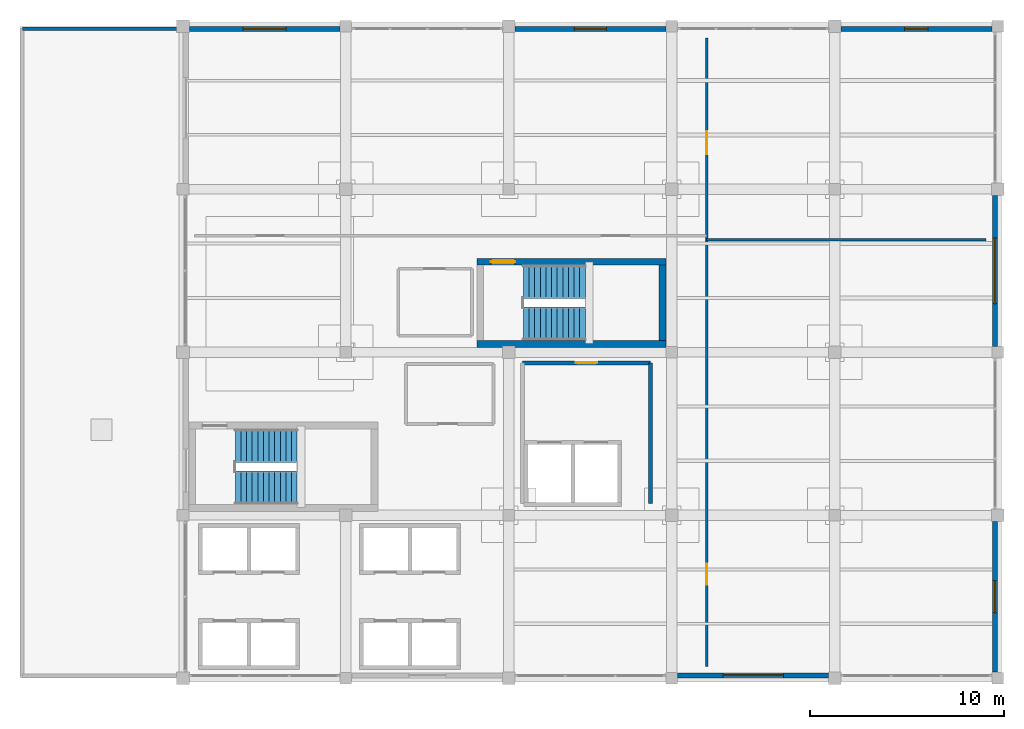
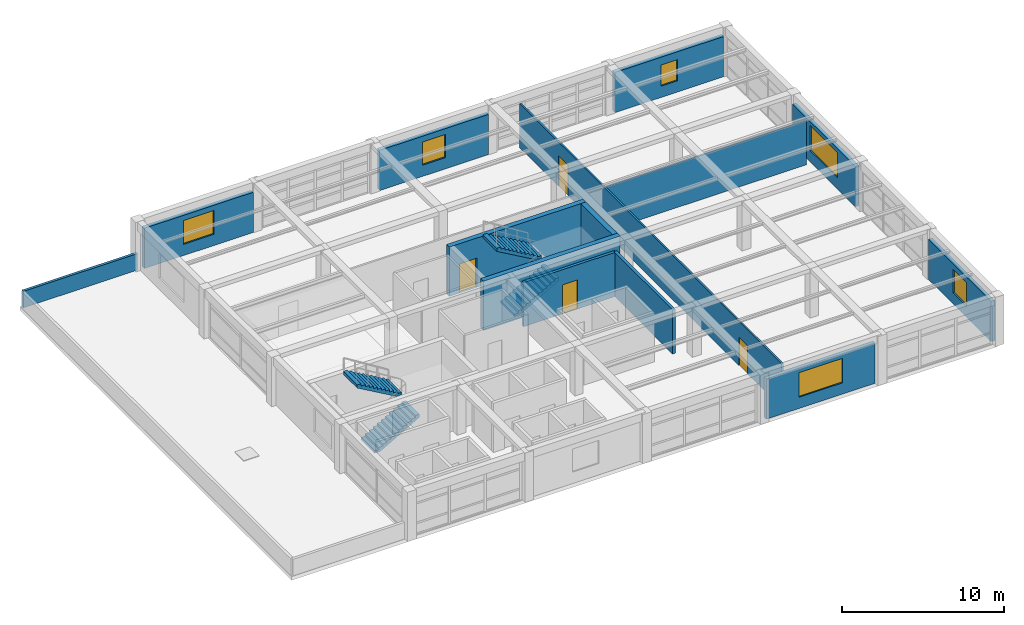
# One storey, part 25 of 26: 14 walls, 6 windows, 4 doors, 4 stair flights, 10 openings, 2 elements without a shape of their own.
"""IFC4 building model written with IfcOpenShell, lengths in metres."""

from ifc_helpers import new_model, si_unit, direction, frame, frame_2d, origin, place, context, subcontext, project, spatial, polyline, rectangle, outline, extrude, material, layer, layer_set, type_object, element, fill, aggregate, save


model = new_model("IFC4")

# Units and contexts
model_context = context("Model", 3, precision=1e-05, world=origin(), true_north=direction((0.0, 1.0)))
body_context = subcontext(model_context, "Body", "Model", "MODEL_VIEW")
ifc_project = project(units=[si_unit("LENGTHUNIT", "METRE"), si_unit("AREAUNIT", "SQUARE_METRE"), si_unit("VOLUMEUNIT", "CUBIC_METRE"), si_unit("PLANEANGLEUNIT", "RADIAN"), si_unit("MASSUNIT", "GRAM", prefix="KILO")], contexts=[model_context])

# Site, building, storey
site_placement = place(None, origin())
site = spatial("IfcSite", under=ifc_project, at=site_placement, CompositionType="ELEMENT")
building_placement = place(site_placement, origin())
building = spatial("IfcBuilding", under=site, at=building_placement, Name="Almacenes y Pasaje Nevantli", CompositionType="ELEMENT")
storey_placement = place(building_placement, frame((0.0, 0.0, 42.699951171875)))
storey = spatial("IfcBuildingStorey", under=building, at=storey_placement, Name="L10", CompositionType="ELEMENT", Elevation=42.699951171875)

# Wall, opening, door
ifc_material_1 = material(Name="Fire-Rated Concrete Blockwork", Category="masonry")
ifc_layer_1 = layer(ifc_material_1, 0.199951171875)
ifc_layer_set_1 = layer_set([ifc_layer_1], Name="Fire-Rated Concrete Blockwork")
wall_type_1 = type_object("IfcWallType", Name="WL-COMP-200", PredefinedType="PARTITIONING", material=ifc_layer_set_1)
wall_1_placement = place(storey_placement, frame((135.10009765625, 83.449951171875, 0.0), z_axis=(0.0, 0.0, 1.0), x_axis=(1.0, 0.0, 0.0)))
wall_1 = element("IfcWall", 1, at=wall_1_placement, inside=storey, type_object=wall_type_1, Name="L10 Interior Partition Wall IW-200 #174", PredefinedType="PARTITIONING", context=body_context, shape_type="SweptSolid", body=[
    extrude(rectangle(XDim=6.599853515625, YDim=0.199951171875, at=frame_2d((3.2998046875, 0.0))), origin(), (0.0, 0.0, 1.0), 3.340087890625),
])
opening_1_placement = place(wall_1_placement, frame((2.75, 0.0, 0.0)))
opening_1 = element("IfcOpeningElement", 2, at=opening_1_placement, cuts=wall_1, Name="Opening ID-L10-097", PredefinedType="OPENING", context=body_context, shape_type="SweptSolid", body=[
    extrude(rectangle(XDim=1.10009765625, YDim=2.199951171875, at=frame_2d((0.550048828125, 1.10009765625))), frame((0.0, 0.10986328125, 0.0), z_axis=(0.0, -1.0, 0.0), x_axis=(1.0, 0.0, 0.0)), (0.0, 0.0, 1.0), 0.219970703125),
])
ifc_material_2 = material(Name="Galvanized Fire-Rated Steel", Category="steel")
door_type_1 = type_object("IfcDoorType", Name="DR-FD90-1100R", OperationType="SINGLE_SWING_RIGHT", PredefinedType="DOOR", material=ifc_material_2)
door_1_placement = place(opening_1_placement, origin())
door_1 = element("IfcDoor", 3, at=door_1_placement, inside=storey, type_object=door_type_1, Name="L10 Firefighting Lobby Door", OperationType="SINGLE_SWING_RIGHT", OverallHeight=2.199951171875, OverallWidth=1.10009765625, PredefinedType="DOOR", context=body_context, shape_type="SweptSolid", body=[
    extrude(rectangle(XDim=1.10009765625, YDim=2.199951171875, at=frame_2d((0.550048828125, 1.10009765625))), frame((0.0, 0.02490234375, 0.0), z_axis=(0.0, -1.0, 0.0), x_axis=(1.0, 0.0, 0.0)), (0.0, 0.0, 1.0), 0.050048828125),
])
fill(opening_1, door_1)

# Walls
wall_2_placement = place(storey_placement, frame((141.699951171875, 76.199951171875, 0.0), z_axis=(0.0, 0.0, 1.0), x_axis=(0.0, 1.0, 0.0)))
element("IfcWall", 4, at=wall_2_placement, inside=storey, type_object=wall_type_1, Name="L10 Interior Partition Wall IW-200 #176", PredefinedType="PARTITIONING", context=body_context, shape_type="SweptSolid", body=[
    extrude(rectangle(XDim=7.25, YDim=0.199951171875, at=frame_2d((3.625, 0.0))), origin(), (0.0, 0.0, 1.0), 3.340087890625),
])
ifc_material_3 = material(Name="Concrete C45/55", Category="concrete")
ifc_layer_2 = layer(ifc_material_3, 0.35009765625)
ifc_layer_set_2 = layer_set([ifc_layer_2], Name="Concrete C45/55")
wall_type_2 = type_object("IfcWallType", Name="WL-CORE-350", PredefinedType="SHEAR", material=ifc_layer_set_2)
wall_3_placement = place(storey_placement, frame((132.75, 84.425048828125, 0.0), z_axis=(0.0, 0.0, 1.0), x_axis=(1.0, 0.0, 0.0)))
element("IfcWall", 5, at=wall_3_placement, inside=storey, type_object=wall_type_2, Name="L10 Exit Stair ST-02 South Core Shear Wall", PredefinedType="SHEAR", context=body_context, shape_type="SweptSolid", body=[
    extrude(rectangle(XDim=9.75, YDim=0.35009765625, at=frame_2d((4.875, 0.0))), origin(), (0.0, 0.0, 1.0), 3.719970703125),
])

# Wall, opening, door
wall_4_placement = place(storey_placement, frame((132.75, 88.6650390625, 0.0), z_axis=(0.0, 0.0, 1.0), x_axis=(1.0, 0.0, 0.0)))
wall_4 = element("IfcWall", 6, at=wall_4_placement, inside=storey, type_object=wall_type_2, Name="L10 Exit Stair ST-02 North Core Shear Wall", PredefinedType="SHEAR", context=body_context, shape_type="SweptSolid", body=[
    extrude(rectangle(XDim=9.75, YDim=0.35009765625, at=frame_2d((4.875, 0.0))), origin(), (0.0, 0.0, 1.0), 3.719970703125),
])
opening_2_placement = place(wall_4_placement, frame((0.719970703125, 0.0, 0.0)))
opening_2 = element("IfcOpeningElement", 7, at=opening_2_placement, cuts=wall_4, Name="Opening SD-02-L10", PredefinedType="OPENING", context=body_context, shape_type="SweptSolid", body=[
    extrude(rectangle(XDim=1.25, YDim=2.199951171875, at=frame_2d((0.625, 1.10009765625))), frame((0.0, 0.18505859375, 0.0), z_axis=(0.0, -1.0, 0.0), x_axis=(1.0, 0.0, 0.0)), (0.0, 0.0, 1.0), 0.3701171875),
])
ifc_material_4 = material(Name="Galvanized Fire-Rated Steel", Category="steel")
door_type_2 = type_object("IfcDoorType", Name="DR-STAIR-1250R", OperationType="SINGLE_SWING_RIGHT", PredefinedType="DOOR", material=ifc_material_4)
door_2_placement = place(opening_2_placement, origin())
door_2 = element("IfcDoor", 8, at=door_2_placement, inside=storey, type_object=door_type_2, Name="L10 Smokeproof Exit Stair ST-02 Fire Door", OperationType="SINGLE_SWING_RIGHT", OverallHeight=2.199951171875, OverallWidth=1.25, PredefinedType="DOOR", context=body_context, shape_type="SweptSolid", body=[
    extrude(rectangle(XDim=1.25, YDim=2.199951171875, at=frame_2d((0.625, 1.10009765625))), frame((0.0, 0.02490234375, 0.0), z_axis=(0.0, -1.0, 0.0), x_axis=(1.0, 0.0, 0.0)), (0.0, 0.0, 1.0), 0.050048828125),
])
fill(opening_2, door_2)

# Wall
wall_5_placement = place(storey_placement, frame((142.324951171875, 84.60009765625, 0.0), z_axis=(0.0, 0.0, 1.0), x_axis=(0.0, 1.0, 0.0)))
element("IfcWall", 9, at=wall_5_placement, inside=storey, type_object=wall_type_2, Name="L10 Exit Stair ST-02 East Core Shear Wall", PredefinedType="SHEAR", context=body_context, shape_type="SweptSolid", body=[
    extrude(rectangle(XDim=3.889892578125, YDim=0.35009765625, at=frame_2d((1.94482421875, 0.0))), origin(), (0.0, 0.0, 1.0), 3.719970703125),
])

# Wall, opening, window
ifc_material_5 = material(Name="Architectural Precast Concrete C35/45 Spandrel Wall", Category="concrete")
ifc_layer_3 = layer(ifc_material_5, 0.280029296875)
ifc_layer_set_3 = layer_set([ifc_layer_3], Name="Architectural Precast Concrete C35/45 Spandrel Wall")
wall_type_3 = type_object("IfcWallType", Name="WL-EXT-CANTERA-280", PredefinedType="SOLIDWALL", material=ifc_layer_set_3)
wall_6_placement = place(storey_placement, frame((117.927978515625, 100.659912109375, 0.0), z_axis=(0.0, 0.0, 1.0), x_axis=(1.0, 0.0, 0.0)))
wall_6 = element("IfcWall", 10, at=wall_6_placement, inside=storey, type_object=wall_type_3, Name="L10 Tower North Polychrome Cantera Wall Bay 15", PredefinedType="SOLIDWALL", context=body_context, shape_type="SweptSolid", body=[
    extrude(rectangle(XDim=7.76806640625, YDim=0.280029296875, at=frame_2d((3.884033203125, 0.0))), origin(), (0.0, 0.0, 1.0), 3.0400390625),
])
opening_3_placement = place(wall_6_placement, frame((2.77197265625, 0.0, 0.85009765625)))
opening_3 = element("IfcOpeningElement", 11, at=opening_3_placement, cuts=wall_6, Name="Opening WT-31-232", PredefinedType="OPENING", context=body_context, shape_type="SweptSolid", body=[
    extrude(rectangle(XDim=2.199951171875, YDim=1.800048828125, at=frame_2d((1.10009765625, 0.89990234375))), frame((0.0, 0.14990234375, 0.0), z_axis=(0.0, -1.0, 0.0), x_axis=(1.0, 0.0, 0.0)), (0.0, 0.0, 1.0), 0.300048828125),
])
ifc_material_6 = material(Name="Thermally Broken Aluminium and Low-E Double Glazing", Category="aluminium")
window_type_1 = type_object("IfcWindowType", Name="WN-TWR-2200x1800", PartitioningType="SINGLE_PANEL", PredefinedType="WINDOW", material=ifc_material_6)
window_1_placement = place(opening_3_placement, origin())
window_1 = element("IfcWindow", 12, at=window_1_placement, inside=storey, type_object=window_type_1, Name="L10 Exterior Window WT-31 #232", OverallHeight=1.800048828125, OverallWidth=2.199951171875, PartitioningType="SINGLE_PANEL", PredefinedType="WINDOW", context=body_context, shape_type="SweptSolid", body=[
    extrude(rectangle(XDim=2.199951171875, YDim=1.800048828125, at=frame_2d((1.10009765625, 0.89990234375))), frame((0.0, 0.030029296875, 0.0), z_axis=(0.0, -1.0, 0.0), x_axis=(1.0, 0.0, 0.0)), (0.0, 0.0, 1.0), 0.06005859375),
])
fill(opening_3, window_1)

wall_7_placement = place(storey_placement, frame((134.72802734375, 100.659912109375, 0.0), z_axis=(0.0, 0.0, 1.0), x_axis=(1.0, 0.0, 0.0)))
wall_7 = element("IfcWall", 13, at=wall_7_placement, inside=storey, type_object=wall_type_3, Name="L10 Tower North Polychrome Cantera Wall Bay 17", PredefinedType="SOLIDWALL", context=body_context, shape_type="SweptSolid", body=[
    extrude(rectangle(XDim=7.77001953125, YDim=0.280029296875, at=frame_2d((3.885009765625, 0.0))), origin(), (0.0, 0.0, 1.0), 3.0400390625),
])
opening_4_placement = place(wall_7_placement, frame((3.047119140625, 0.0, 0.85009765625)))
opening_4 = element("IfcOpeningElement", 14, at=opening_4_placement, cuts=wall_7, Name="Opening WT-33-234", PredefinedType="OPENING", context=body_context, shape_type="SweptSolid", body=[
    extrude(rectangle(XDim=1.64990234375, YDim=1.75, at=frame_2d((0.824951171875, 0.875))), frame((0.0, 0.14990234375, 0.0), z_axis=(0.0, -1.0, 0.0), x_axis=(1.0, 0.0, 0.0)), (0.0, 0.0, 1.0), 0.300048828125),
])
ifc_material_7 = material(Name="Thermally Broken Aluminium and Low-E Double Glazing", Category="aluminium")
window_type_2 = type_object("IfcWindowType", Name="WN-TWR-1650x1750", PartitioningType="SINGLE_PANEL", PredefinedType="WINDOW", material=ifc_material_7)
window_2_placement = place(opening_4_placement, origin())
window_2 = element("IfcWindow", 15, at=window_2_placement, inside=storey, type_object=window_type_2, Name="L10 Exterior Window WT-33 #234", OverallHeight=1.75, OverallWidth=1.64990234375, PartitioningType="SINGLE_PANEL", PredefinedType="WINDOW", context=body_context, shape_type="SweptSolid", body=[
    extrude(rectangle(XDim=1.64990234375, YDim=1.75, at=frame_2d((0.824951171875, 0.875))), frame((0.0, 0.030029296875, 0.0), z_axis=(0.0, -1.0, 0.0), x_axis=(1.0, 0.0, 0.0)), (0.0, 0.0, 1.0), 0.06005859375),
])
fill(opening_4, window_2)

wall_8_placement = place(storey_placement, frame((151.528076171875, 100.659912109375, 0.0), z_axis=(0.0, 0.0, 1.0), x_axis=(1.0, 0.0, 0.0)))
wall_8 = element("IfcWall", 16, at=wall_8_placement, inside=storey, type_object=wall_type_3, Name="L10 Tower North Polychrome Cantera Wall Bay 19", PredefinedType="SOLIDWALL", context=body_context, shape_type="SweptSolid", body=[
    extrude(rectangle(XDim=7.767822265625, YDim=0.280029296875, at=frame_2d((3.8837890625, 0.0))), origin(), (0.0, 0.0, 1.0), 3.0400390625),
])
opening_5_placement = place(wall_8_placement, frame((3.27197265625, 0.0, 0.85009765625)))
opening_5 = element("IfcOpeningElement", 17, at=opening_5_placement, cuts=wall_8, Name="Opening WT-35-236", PredefinedType="OPENING", context=body_context, shape_type="SweptSolid", body=[
    extrude(rectangle(XDim=1.199951171875, YDim=1.60009765625, at=frame_2d((0.60009765625, 0.800048828125))), frame((0.0, 0.14990234375, 0.0), z_axis=(0.0, -1.0, 0.0), x_axis=(1.0, 0.0, 0.0)), (0.0, 0.0, 1.0), 0.300048828125),
])
ifc_material_8 = material(Name="Thermally Broken Aluminium and Low-E Double Glazing", Category="aluminium")
window_type_3 = type_object("IfcWindowType", Name="WN-TWR-1200x1600", PartitioningType="SINGLE_PANEL", PredefinedType="WINDOW", material=ifc_material_8)
window_3_placement = place(opening_5_placement, origin())
window_3 = element("IfcWindow", 18, at=window_3_placement, inside=storey, type_object=window_type_3, Name="L10 Exterior Window WT-35 #236", OverallHeight=1.60009765625, OverallWidth=1.199951171875, PartitioningType="SINGLE_PANEL", PredefinedType="WINDOW", context=body_context, shape_type="SweptSolid", body=[
    extrude(rectangle(XDim=1.199951171875, YDim=1.60009765625, at=frame_2d((0.60009765625, 0.800048828125))), frame((0.0, 0.030029296875, 0.0), z_axis=(0.0, -1.0, 0.0), x_axis=(1.0, 0.0, 0.0)), (0.0, 0.0, 1.0), 0.06005859375),
])
fill(opening_5, window_3)

ifc_material_9 = material(Name="Cream Architectural Precast Concrete C35/45 Wall", Category="concrete")
ifc_layer_4 = layer(ifc_material_9, 0.260009765625)
ifc_layer_set_4 = layer_set([ifc_layer_4], Name="Cream Architectural Precast Concrete C35/45 Wall")
wall_type_4 = type_object("IfcWallType", Name="WL-EXT-PRECAST-260", PredefinedType="SOLIDWALL", material=ifc_layer_set_4)
wall_9_placement = place(storey_placement, frame((143.10400390625, 67.340087890625, 0.0), z_axis=(0.0, 0.0, 1.0), x_axis=(1.0, 0.0, 0.0)))
wall_9 = element("IfcWall", 19, at=wall_9_placement, inside=storey, type_object=wall_type_4, Name="L10 Tower South Precast Spandrel Wall Bay 18", PredefinedType="SOLIDWALL", context=body_context, shape_type="SweptSolid", body=[
    extrude(rectangle(XDim=7.76806640625, YDim=0.260009765625, at=frame_2d((3.884033203125, 0.0))), origin(), (0.0, 0.0, 1.0), 3.0400390625),
])
opening_6_placement = place(wall_9_placement, frame((2.345947265625, 0.0, 0.85009765625)))
opening_6 = element("IfcOpeningElement", 20, at=opening_6_placement, cuts=wall_9, Name="Opening WT-28-235", PredefinedType="OPENING", context=body_context, shape_type="SweptSolid", body=[
    extrude(rectangle(XDim=3.10009765625, YDim=1.85009765625, at=frame_2d((1.550048828125, 0.925048828125))), frame((0.0, 0.139892578125, 0.0), z_axis=(0.0, -1.0, 0.0), x_axis=(1.0, 0.0, 0.0)), (0.0, 0.0, 1.0), 0.280029296875),
])
ifc_material_10 = material(Name="Thermally Broken Aluminium and Low-E Double Glazing", Category="aluminium")
window_type_4 = type_object("IfcWindowType", Name="WN-TWR-3100x1850", PartitioningType="SINGLE_PANEL", PredefinedType="WINDOW", material=ifc_material_10)
window_4_placement = place(opening_6_placement, origin())
window_4 = element("IfcWindow", 21, at=window_4_placement, inside=storey, type_object=window_type_4, Name="L10 Exterior Window WT-28 #235", OverallHeight=1.85009765625, OverallWidth=3.10009765625, PartitioningType="SINGLE_PANEL", PredefinedType="WINDOW", context=body_context, shape_type="SweptSolid", body=[
    extrude(rectangle(XDim=3.10009765625, YDim=1.85009765625, at=frame_2d((1.550048828125, 0.925048828125))), frame((0.0, 0.030029296875, 0.0), z_axis=(0.0, -1.0, 0.0), x_axis=(1.0, 0.0, 0.0)), (0.0, 0.0, 1.0), 0.06005859375),
])
fill(opening_6, window_4)

wall_10_placement = place(storey_placement, frame((159.4599609375, 67.50390625, 0.0), z_axis=(0.0, 0.0, 1.0), x_axis=(0.0, 1.0, 0.0)))
wall_10 = element("IfcWall", 22, at=wall_10_placement, inside=storey, type_object=wall_type_4, Name="L10 Tower East Precast Wall Bay 9", PredefinedType="SOLIDWALL", context=body_context, shape_type="SweptSolid", body=[
    extrude(rectangle(XDim=7.76806640625, YDim=0.260009765625, at=frame_2d((3.884033203125, 0.0))), origin(), (0.0, 0.0, 1.0), 3.0400390625),
])
opening_7_placement = place(wall_10_placement, frame((3.071044921875, 0.0, 0.85009765625)))
opening_7 = element("IfcOpeningElement", 23, at=opening_7_placement, cuts=wall_10, Name="Opening WT-33-237", PredefinedType="OPENING", context=body_context, shape_type="SweptSolid", body=[
    extrude(rectangle(XDim=1.64990234375, YDim=1.75, at=frame_2d((0.824951171875, 0.875))), frame((0.0, 0.139892578125, 0.0), z_axis=(0.0, -1.0, 0.0), x_axis=(1.0, 0.0, 0.0)), (0.0, 0.0, 1.0), 0.280029296875),
])
window_5_placement = place(opening_7_placement, origin())
window_5 = element("IfcWindow", 24, at=window_5_placement, inside=storey, type_object=window_type_2, Name="L10 Exterior Window WT-33 #237", OverallHeight=1.75, OverallWidth=1.64990234375, PartitioningType="SINGLE_PANEL", PredefinedType="WINDOW", context=body_context, shape_type="SweptSolid", body=[
    extrude(rectangle(XDim=1.64990234375, YDim=1.75, at=frame_2d((0.824951171875, 0.875))), frame((0.0, 0.030029296875, 0.0), z_axis=(0.0, -1.0, 0.0), x_axis=(1.0, 0.0, 0.0)), (0.0, 0.0, 1.0), 0.06005859375),
])
fill(opening_7, window_5)

wall_11_placement = place(storey_placement, frame((159.4599609375, 84.303955078125, 0.0), z_axis=(0.0, 0.0, 1.0), x_axis=(0.0, 1.0, 0.0)))
wall_11 = element("IfcWall", 25, at=wall_11_placement, inside=storey, type_object=wall_type_4, Name="L10 Tower East Precast Wall Bay 11", PredefinedType="SOLIDWALL", context=body_context, shape_type="SweptSolid", body=[
    extrude(rectangle(XDim=7.76806640625, YDim=0.260009765625, at=frame_2d((3.884033203125, 0.0))), origin(), (0.0, 0.0, 1.0), 3.0400390625),
])
opening_8_placement = place(wall_11_placement, frame((2.196044921875, 0.0, 0.85009765625)))
opening_8 = element("IfcOpeningElement", 26, at=opening_8_placement, cuts=wall_11, Name="Opening WT-27-239", PredefinedType="OPENING", context=body_context, shape_type="SweptSolid", body=[
    extrude(rectangle(XDim=3.39990234375, YDim=1.89990234375, at=frame_2d((1.699951171875, 0.949951171875))), frame((0.0, 0.139892578125, 0.0), z_axis=(0.0, -1.0, 0.0), x_axis=(1.0, 0.0, 0.0)), (0.0, 0.0, 1.0), 0.280029296875),
])
ifc_material_11 = material(Name="Thermally Broken Aluminium and Low-E Double Glazing", Category="aluminium")
window_type_5 = type_object("IfcWindowType", Name="WN-TWR-3400x1900", PartitioningType="SINGLE_PANEL", PredefinedType="WINDOW", material=ifc_material_11)
window_6_placement = place(opening_8_placement, origin())
window_6 = element("IfcWindow", 27, at=window_6_placement, inside=storey, type_object=window_type_5, Name="L10 Exterior Window WT-27 #239", OverallHeight=1.89990234375, OverallWidth=3.39990234375, PartitioningType="SINGLE_PANEL", PredefinedType="WINDOW", context=body_context, shape_type="SweptSolid", body=[
    extrude(rectangle(XDim=3.39990234375, YDim=1.89990234375, at=frame_2d((1.699951171875, 0.949951171875))), frame((0.0, 0.030029296875, 0.0), z_axis=(0.0, -1.0, 0.0), x_axis=(1.0, 0.0, 0.0)), (0.0, 0.0, 1.0), 0.06005859375),
])
fill(opening_8, window_6)

# Wall
ifc_material_12 = material(Name="Reinforced Concrete C35/45 Tower Parapet", Category="concrete")
ifc_layer_5 = layer(ifc_material_12, 0.18994140625)
ifc_layer_set_5 = layer_set([ifc_layer_5], Name="Reinforced Concrete C35/45 Tower Parapet")
wall_type_5 = type_object("IfcWallType", Name="WL-PARAPET-190", PredefinedType="PARAPET", material=ifc_layer_set_5)
wall_12_placement = place(storey_placement, frame((109.320068359375, 100.679931640625, 0.0), z_axis=(0.0, 0.0, 1.0), x_axis=(1.0, 0.0, 0.0)))
element("IfcWall", 28, at=wall_12_placement, inside=storey, type_object=wall_type_5, Name="L10 Setback North Parapet", PredefinedType="PARAPET", context=body_context, shape_type="SweptSolid", body=[
    extrude(rectangle(XDim=8.159912109375, YDim=0.18994140625, at=frame_2d((4.080078125, 0.0))), origin(), (0.0, 0.0, 1.0), 1.25),
])

# Wall, openings, doors
ifc_material_13 = material(Name="Standard Steel-Stud Gypsum Partition", Category="steel")
ifc_layer_6 = layer(ifc_material_13, 0.1201171875)
ifc_layer_set_6 = layer_set([ifc_layer_6], Name="Standard Steel-Stud Gypsum Partition")
wall_type_6 = type_object("IfcWallType", Name="WL-PART-120", PredefinedType="PARTITIONING", material=ifc_layer_set_6)
wall_13_placement = place(storey_placement, frame((144.60009765625, 67.800048828125, 0.0), z_axis=(0.0, 0.0, 1.0), x_axis=(0.0, 1.0, 0.0)))
wall_13 = element("IfcWall", 29, at=wall_13_placement, inside=storey, type_object=wall_type_6, Name="L10 Interior Partition Wall IW-120 #186", PredefinedType="PARTITIONING", context=body_context, shape_type="SweptSolid", body=[
    extrude(rectangle(XDim=32.39990234375, YDim=0.1201171875, at=frame_2d((16.199951171875, 0.0))), origin(), (0.0, 0.0, 1.0), 3.340087890625),
])
opening_9_placement = place(wall_13_placement, frame((4.199951171875, 0.0, 0.0)))
opening_9 = element("IfcOpeningElement", 30, at=opening_9_placement, cuts=wall_13, Name="Opening ID-L10-102", PredefinedType="OPENING", context=body_context, shape_type="SweptSolid", body=[
    extrude(rectangle(XDim=1.10009765625, YDim=2.14990234375, at=frame_2d((0.550048828125, 1.074951171875))), frame((0.0, 0.070068359375, 0.0), z_axis=(0.0, -1.0, 0.0), x_axis=(1.0, 0.0, 0.0)), (0.0, 0.0, 1.0), 0.14013671875),
])
opening_10_placement = place(wall_13_placement, frame((26.39990234375, 0.0, 0.0)))
opening_10 = element("IfcOpeningElement", 31, at=opening_10_placement, cuts=wall_13, Name="Opening ID-L10-103", PredefinedType="OPENING", context=body_context, shape_type="SweptSolid", body=[
    extrude(rectangle(XDim=1.199951171875, YDim=2.300048828125, at=frame_2d((0.60009765625, 1.14990234375))), frame((0.0, 0.070068359375, 0.0), z_axis=(0.0, -1.0, 0.0), x_axis=(1.0, 0.0, 0.0)), (0.0, 0.0, 1.0), 0.14013671875),
])
ifc_material_14 = material(Name="Anodized Aluminium and Tempered Acoustic Glass", Category="aluminium")
door_type_3 = type_object("IfcDoorType", Name="DR-ACU-1200R", OperationType="SINGLE_SWING_RIGHT", PredefinedType="DOOR", material=ifc_material_14)
door_3_placement = place(opening_10_placement, origin())
door_3 = element("IfcDoor", 32, at=door_3_placement, inside=storey, type_object=door_type_3, Name="L10 L10 Conference Metepec Door", OperationType="SINGLE_SWING_RIGHT", OverallHeight=2.300048828125, OverallWidth=1.199951171875, PredefinedType="DOOR", context=body_context, shape_type="SweptSolid", body=[
    extrude(rectangle(XDim=1.199951171875, YDim=2.300048828125, at=frame_2d((0.60009765625, 1.14990234375))), frame((0.0, 0.02490234375, 0.0), z_axis=(0.0, -1.0, 0.0), x_axis=(1.0, 0.0, 0.0)), (0.0, 0.0, 1.0), 0.050048828125),
])
fill(opening_10, door_3)
ifc_material_15 = material(Name="Powder-Coated Hollow Metal", Category="steel")
door_type_4 = type_object("IfcDoorType", Name="DR-INT-1100", OperationType="SINGLE_SWING_LEFT", PredefinedType="DOOR", material=ifc_material_15)
door_4_placement = place(opening_9_placement, origin())
door_4 = element("IfcDoor", 33, at=door_4_placement, inside=storey, type_object=door_type_4, Name="L10 L10 East Executive Wing Door", OperationType="SINGLE_SWING_LEFT", OverallHeight=2.14990234375, OverallWidth=1.10009765625, PredefinedType="DOOR", context=body_context, shape_type="SweptSolid", body=[
    extrude(rectangle(XDim=1.10009765625, YDim=2.14990234375, at=frame_2d((0.550048828125, 1.074951171875))), frame((0.0, 0.02490234375, 0.0), z_axis=(0.0, -1.0, 0.0), x_axis=(1.0, 0.0, 0.0)), (0.0, 0.0, 1.0), 0.050048828125),
])
fill(opening_9, door_4)

# Wall
wall_14_placement = place(storey_placement, frame((144.60009765625, 89.800048828125, 0.0), z_axis=(0.0, 0.0, 1.0), x_axis=(1.0, 0.0, 0.0)))
element("IfcWall", 34, at=wall_14_placement, inside=storey, type_object=wall_type_6, Name="L10 Interior Partition Wall IW-120 #187", PredefinedType="PARTITIONING", context=body_context, shape_type="SweptSolid", body=[
    extrude(rectangle(XDim=14.39990234375, YDim=0.1201171875, at=frame_2d((7.199951171875, 0.0))), origin(), (0.0, 0.0, 1.0), 3.340087890625),
])

# Stair, stair flights
ifc_material_16 = material(Name="Concrete C35/45", Category="concrete")
stair_type = type_object("IfcStairType", Name="STR-CORE-1720", PredefinedType="HALF_TURN_STAIR", material=ifc_material_16)
stair_1_placement = place(storey_placement, origin())
stair_1 = element("IfcStair", 35, at=stair_1_placement, inside=storey, type_object=stair_type, Name="L10 Staircase ST-01", PredefinedType="HALF_TURN_STAIR")
ifc_material_17 = material(Name="Concrete C35/45", Category="concrete")
ifc_layer_7 = layer(ifc_material_17, 0.199951171875)
ifc_layer_set_7 = layer_set([ifc_layer_7], Name="Concrete C35/45")
stair_flight_type = type_object("IfcStairFlightType", Name="SFL-RC-200", PredefinedType="STRAIGHT", material=ifc_layer_set_7)
stair_flight_1_placement = place(storey_placement, frame((120.300048828125, 77.010009765625, 0.0), z_axis=(0.0, 0.0, 1.0), x_axis=(1.0, 0.0, 0.0)))
stair_flight_1 = element("IfcStairFlight", 36, at=stair_flight_1_placement, type_object=stair_flight_type, Name="ST-01-L10 flight 1", NumberOfRisers=12, NumberOfTreads=11, PredefinedType="STRAIGHT", RiserHeight=0.166667, TreadLength=0.29, context=body_context, shape_type="SweptSolid", body=[
    extrude(outline(polyline([(0.0, 0.0), (0.0, 0.166748046875), (0.2900390625, 0.166748046875), (0.2900390625, 0.333251953125), (0.580078125, 0.333251953125), (0.580078125, 0.5), (0.8701171875, 0.5), (0.8701171875, 0.666748046875), (1.159912109375, 0.666748046875), (1.159912109375, 0.833251953125), (1.449951171875, 0.833251953125), (1.449951171875, 1.0), (1.739990234375, 1.0), (1.739990234375, 1.166748046875), (2.030029296875, 1.166748046875), (2.030029296875, 1.333251953125), (2.320068359375, 1.333251953125), (2.320068359375, 1.5), (2.610107421875, 1.5), (2.610107421875, 1.666748046875), (2.89990234375, 1.666748046875), (2.89990234375, 1.833251953125), (3.18994140625, 1.833251953125), (3.18994140625, 2.0), (3.18994140625, 1.602783203125), (0.4013671875, 0.0), (0.0, 0.0)])), frame((0.0, 0.85986328125, 0.0), z_axis=(0.0, -1.0, 0.0), x_axis=(1.0, 0.0, 0.0)), (0.0, 0.0, 1.0), 1.719970703125),
])
stair_flight_2_placement = place(storey_placement, frame((123.489990234375, 79.179931640625, 2.0), z_axis=(0.0, 0.0, 1.0), x_axis=(-1.0, 0.0, 0.0)))
stair_flight_2 = element("IfcStairFlight", 37, at=stair_flight_2_placement, type_object=stair_flight_type, Name="ST-01-L10 flight 2", NumberOfRisers=12, NumberOfTreads=11, PredefinedType="STRAIGHT", RiserHeight=0.166667, TreadLength=0.29, context=body_context, shape_type="SweptSolid", body=[
    extrude(outline(polyline([(0.0, 0.0), (0.0, 0.166748046875), (0.2900390625, 0.166748046875), (0.2900390625, 0.333251953125), (0.580078125, 0.333251953125), (0.580078125, 0.5), (0.8701171875, 0.5), (0.8701171875, 0.666748046875), (1.159912109375, 0.666748046875), (1.159912109375, 0.833251953125), (1.449951171875, 0.833251953125), (1.449951171875, 1.0), (1.739990234375, 1.0), (1.739990234375, 1.166748046875), (2.030029296875, 1.166748046875), (2.030029296875, 1.333251953125), (2.320068359375, 1.333251953125), (2.320068359375, 1.5), (2.610107421875, 1.5), (2.610107421875, 1.666748046875), (2.89990234375, 1.666748046875), (2.89990234375, 1.833251953125), (3.18994140625, 1.833251953125), (3.18994140625, 2.0), (3.18994140625, 1.602783203125), (0.4013671875, 0.0), (0.0, 0.0)])), frame((0.0, 0.85986328125, 0.0), z_axis=(0.0, -1.0, 0.0), x_axis=(1.0, 0.0, 0.0)), (0.0, 0.0, 1.0), 1.719970703125),
])
aggregate(stair_1, [stair_flight_1, stair_flight_2])

stair_2_placement = place(storey_placement, origin())
stair_2 = element("IfcStair", 38, at=stair_2_placement, inside=storey, type_object=stair_type, Name="L10 Staircase ST-02", PredefinedType="HALF_TURN_STAIR")
stair_flight_3_placement = place(storey_placement, frame((135.14990234375, 85.4599609375, 0.0), z_axis=(0.0, 0.0, 1.0), x_axis=(1.0, 0.0, 0.0)))
stair_flight_3 = element("IfcStairFlight", 39, at=stair_flight_3_placement, type_object=stair_flight_type, Name="ST-02-L10 flight 1", NumberOfRisers=12, NumberOfTreads=11, PredefinedType="STRAIGHT", RiserHeight=0.166667, TreadLength=0.29, context=body_context, shape_type="SweptSolid", body=[
    extrude(outline(polyline([(0.0, 0.0), (0.0, 0.166748046875), (0.2900390625, 0.166748046875), (0.2900390625, 0.333251953125), (0.580078125, 0.333251953125), (0.580078125, 0.5), (0.8701171875, 0.5), (0.8701171875, 0.666748046875), (1.159912109375, 0.666748046875), (1.159912109375, 0.833251953125), (1.449951171875, 0.833251953125), (1.449951171875, 1.0), (1.739990234375, 1.0), (1.739990234375, 1.166748046875), (2.030029296875, 1.166748046875), (2.030029296875, 1.333251953125), (2.320068359375, 1.333251953125), (2.320068359375, 1.5), (2.610107421875, 1.5), (2.610107421875, 1.666748046875), (2.89990234375, 1.666748046875), (2.89990234375, 1.833251953125), (3.18994140625, 1.833251953125), (3.18994140625, 2.0), (3.18994140625, 1.602783203125), (0.4013671875, 0.0), (0.0, 0.0)])), frame((0.0, 0.85986328125, 0.0), z_axis=(0.0, -1.0, 0.0), x_axis=(1.0, 0.0, 0.0)), (0.0, 0.0, 1.0), 1.719970703125),
])
stair_flight_4_placement = place(storey_placement, frame((138.340087890625, 87.6298828125, 2.0), z_axis=(0.0, 0.0, 1.0), x_axis=(-1.0, 0.0, 0.0)))
stair_flight_4 = element("IfcStairFlight", 40, at=stair_flight_4_placement, type_object=stair_flight_type, Name="ST-02-L10 flight 2", NumberOfRisers=12, NumberOfTreads=11, PredefinedType="STRAIGHT", RiserHeight=0.166667, TreadLength=0.29, context=body_context, shape_type="SweptSolid", body=[
    extrude(outline(polyline([(0.0, 0.0), (0.0, 0.166748046875), (0.2900390625, 0.166748046875), (0.2900390625, 0.333251953125), (0.580078125, 0.333251953125), (0.580078125, 0.5), (0.8701171875, 0.5), (0.8701171875, 0.666748046875), (1.159912109375, 0.666748046875), (1.159912109375, 0.833251953125), (1.449951171875, 0.833251953125), (1.449951171875, 1.0), (1.739990234375, 1.0), (1.739990234375, 1.166748046875), (2.030029296875, 1.166748046875), (2.030029296875, 1.333251953125), (2.320068359375, 1.333251953125), (2.320068359375, 1.5), (2.610107421875, 1.5), (2.610107421875, 1.666748046875), (2.89990234375, 1.666748046875), (2.89990234375, 1.833251953125), (3.18994140625, 1.833251953125), (3.18994140625, 2.0), (3.18994140625, 1.602783203125), (0.4013671875, 0.0), (0.0, 0.0)])), frame((0.0, 0.85986328125, 0.0), z_axis=(0.0, -1.0, 0.0), x_axis=(1.0, 0.0, 0.0)), (0.0, 0.0, 1.0), 1.719970703125),
])
aggregate(stair_2, [stair_flight_3, stair_flight_4])

save(model, "model.ifc")
